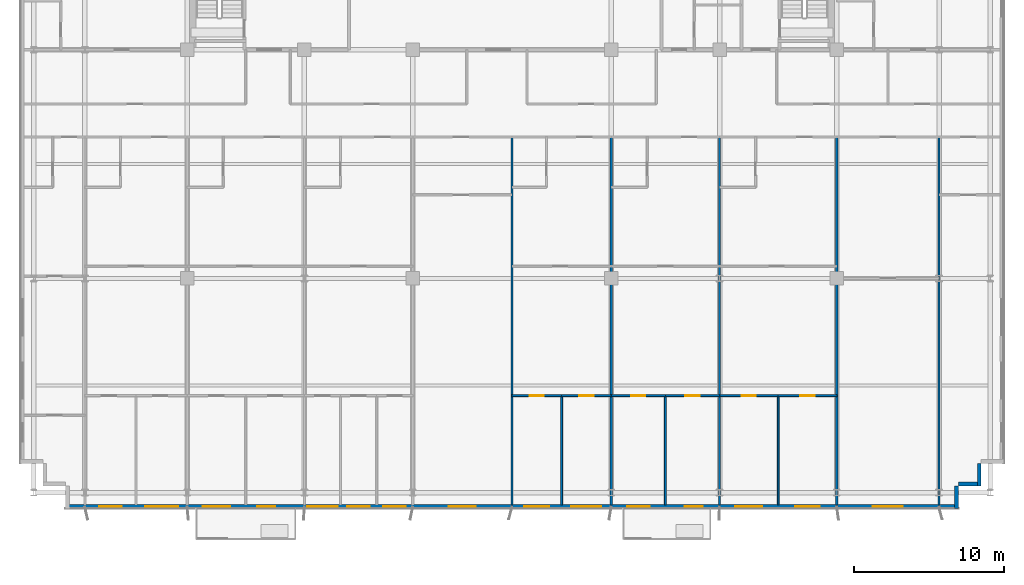
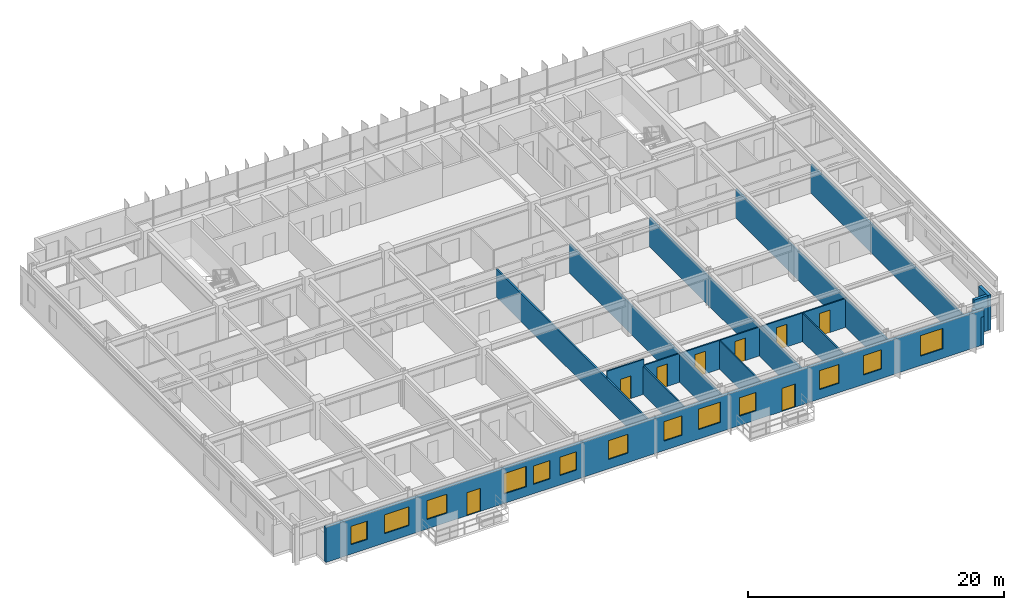
# One storey, part 17 of 24: 18 walls, 13 windows, 8 doors, 21 openings.
"""IFC4 building model written with IfcOpenShell, lengths in metres."""

from ifc_helpers import new_model, si_unit, direction, frame, frame_2d, origin, place, context, subcontext, project, spatial, rectangle, extrude, source, transform, mapped, material, layer, layer_set, type_object, element, fill, save


model = new_model("IFC4")

# Units and contexts
model_context = context("Model", 3, precision=1e-05, world=origin(), true_north=direction((0.0, 1.0)))
body_context = subcontext(model_context, "Body", "Model", "MODEL_VIEW")
ifc_project = project(units=[si_unit("LENGTHUNIT", "METRE"), si_unit("AREAUNIT", "SQUARE_METRE"), si_unit("VOLUMEUNIT", "CUBIC_METRE"), si_unit("PLANEANGLEUNIT", "RADIAN"), si_unit("MASSUNIT", "GRAM", prefix="KILO")], contexts=[model_context])

# Site, building, storey
site_placement = place(None, origin())
site = spatial("IfcSite", under=ifc_project, at=site_placement, CompositionType="ELEMENT")
building_placement = place(site_placement, origin())
building = spatial("IfcBuilding", under=site, at=building_placement, Name="Trelvane Seafront Commons", CompositionType="ELEMENT")
storey_placement = place(building_placement, frame((0.0, 0.0, 30.699951171875)))
storey = spatial("IfcBuildingStorey", under=building, at=storey_placement, Name="L07", CompositionType="ELEMENT", Elevation=30.699951171875)

# Walls
ifc_material_1 = material(Name="Precast concrete C40/50", Category="concrete")
ifc_layer_1 = layer(ifc_material_1, 0.260009765625, Name="ARCH-WALL-EXT260")
ifc_layer_set_1 = layer_set([ifc_layer_1], Name="Precast concrete C40/50")
wall_type_1 = type_object("IfcWallType", Name="ARCH-WALL-EXT260", PredefinedType="SOLIDWALL", material=ifc_layer_set_1)
for number, where, z_axis, x_axis, name in (
    (1, (68.27001953125, 5.89990234375, 0.0), (0.0, 0.0, 1.0), (0.0, -1.0, 0.0), "EW-L07-00103"),
    (2, (68.39990234375, 4.530029296875, 0.0), (0.0, 0.0, 1.0), (-1.0, 0.0, 0.0), "EW-L07-00104"),
):
    element("IfcWall", number, at=place(storey_placement, frame(where, z_axis=z_axis, x_axis=x_axis)), inside=storey, type_object=wall_type_1, Name=name, PredefinedType="SOLIDWALL", context=body_context, shape_type="SweptSolid", body=[
        extrude(rectangle(XDim=1.5, YDim=0.260009765625, at=frame_2d((0.75, 0.0))), origin(), (0.0, 0.0, 1.0), 3.340087890625),
    ])
wall_1_placement = place(storey_placement, frame((66.77001953125, 4.39990234375, 0.0), z_axis=(0.0, 0.0, 1.0), x_axis=(0.0, -1.0, 0.0)))
element("IfcWall", 3, at=wall_1_placement, inside=storey, type_object=wall_type_1, Name="EW-L07-00105", PredefinedType="SOLIDWALL", context=body_context, shape_type="SweptSolid", body=[
    extrude(rectangle(XDim=1.5, YDim=0.260009765625, at=frame_2d((0.75, 0.0))), origin(), (0.0, 0.0, 1.0), 2.68994140625),
])

# Wall, openings, doors, windows
wall_2_placement = place(storey_placement, frame((66.89990234375, 3.030029296875, 0.0), z_axis=(0.0, 0.0, 1.0), x_axis=(-1.0, 0.0, 0.0)))
wall_2 = element("IfcWall", 4, at=wall_2_placement, inside=storey, type_object=wall_type_1, Name="EW-L07-00106", PredefinedType="SOLIDWALL", context=body_context, shape_type="SweptSolid", body=[
    extrude(rectangle(XDim=59.39990234375, YDim=0.260009765625, at=frame_2d((29.699951171875, 0.0))), origin(), (0.0, 0.0, 1.0), 3.340087890625),
])
opening_1_placement = place(wall_2_placement, frame((3.699951171875, 0.0, 0.89990234375)))
opening_1 = element("IfcOpeningElement", 5, at=opening_1_placement, cuts=wall_2, Name="Opening W06", PredefinedType="OPENING", context=body_context, shape_type="SweptSolid", body=[
    extrude(rectangle(XDim=2.0, YDim=1.949951171875, at=frame_2d((1.0, 0.97509765625))), frame((0.0, 0.139892578125, 0.0), z_axis=(0.0, -1.0, 0.0), x_axis=(1.0, 0.0, 0.0)), (0.0, 0.0, 1.0), 0.280029296875),
])
opening_2_placement = place(wall_2_placement, frame((9.22509765625, 0.0, 0.89990234375)))
opening_2 = element("IfcOpeningElement", 6, at=opening_2_placement, cuts=wall_2, Name="Opening W07", PredefinedType="OPENING", context=body_context, shape_type="SweptSolid", body=[
    extrude(rectangle(XDim=1.64990234375, YDim=1.85009765625, at=frame_2d((0.824951171875, 0.925048828125))), frame((0.0, 0.139892578125, 0.0), z_axis=(0.0, -1.0, 0.0), x_axis=(1.0, 0.0, 0.0)), (0.0, 0.0, 1.0), 0.280029296875),
])
opening_3_placement = place(wall_2_placement, frame((13.050048828125, 0.0, 0.89990234375)))
opening_3 = element("IfcOpeningElement", 7, at=opening_3_placement, cuts=wall_2, Name="Opening W01", PredefinedType="OPENING", context=body_context, shape_type="SweptSolid", body=[
    extrude(rectangle(XDim=1.800048828125, YDim=1.800048828125, at=frame_2d((0.89990234375, 0.89990234375))), frame((0.0, 0.139892578125, 0.0), z_axis=(0.0, -1.0, 0.0), x_axis=(1.0, 0.0, 0.0)), (0.0, 0.0, 1.0), 0.280029296875),
])
opening_4_placement = place(wall_2_placement, frame((17.007080078125, 0.0, 0.0)))
opening_4 = element("IfcOpeningElement", 8, at=opening_4_placement, cuts=wall_2, Name="Opening BD-L07-19", PredefinedType="OPENING", context=body_context, shape_type="SweptSolid", body=[
    extrude(rectangle(XDim=1.199951171875, YDim=2.199951171875, at=frame_2d((0.60009765625, 1.10009765625))), frame((0.0, 0.139892578125, 0.0), z_axis=(0.0, -1.0, 0.0), x_axis=(1.0, 0.0, 0.0)), (0.0, 0.0, 1.0), 0.280029296875),
])
opening_5_placement = place(wall_2_placement, frame((20.550048828125, 0.0, 0.89990234375)))
opening_5 = element("IfcOpeningElement", 9, at=opening_5_placement, cuts=wall_2, Name="Opening W03", PredefinedType="OPENING", context=body_context, shape_type="SweptSolid", body=[
    extrude(rectangle(XDim=1.5, YDim=1.75, at=frame_2d((0.75, 0.875))), frame((0.0, 0.139892578125, 0.0), z_axis=(0.0, -1.0, 0.0), x_axis=(1.0, 0.0, 0.0)), (0.0, 0.0, 1.0), 0.280029296875),
])
opening_6_placement = place(wall_2_placement, frame((23.75, 0.0, 0.89990234375)))
opening_6 = element("IfcOpeningElement", 10, at=opening_6_placement, cuts=wall_2, Name="Opening W06", PredefinedType="OPENING", context=body_context, shape_type="SweptSolid", body=[
    extrude(rectangle(XDim=2.0, YDim=1.949951171875, at=frame_2d((1.0, 0.97509765625))), frame((0.0, 0.139892578125, 0.0), z_axis=(0.0, -1.0, 0.0), x_axis=(1.0, 0.0, 0.0)), (0.0, 0.0, 1.0), 0.280029296875),
])
opening_7_placement = place(wall_2_placement, frame((27.22509765625, 0.0, 0.89990234375)))
opening_7 = element("IfcOpeningElement", 11, at=opening_7_placement, cuts=wall_2, Name="Opening W07", PredefinedType="OPENING", context=body_context, shape_type="SweptSolid", body=[
    extrude(rectangle(XDim=1.64990234375, YDim=1.85009765625, at=frame_2d((0.824951171875, 0.925048828125))), frame((0.0, 0.139892578125, 0.0), z_axis=(0.0, -1.0, 0.0), x_axis=(1.0, 0.0, 0.0)), (0.0, 0.0, 1.0), 0.280029296875),
])
opening_8_placement = place(wall_2_placement, frame((32.10009765625, 0.0, 0.89990234375)))
opening_8 = element("IfcOpeningElement", 12, at=opening_8_placement, cuts=wall_2, Name="Opening W01", PredefinedType="OPENING", context=body_context, shape_type="SweptSolid", body=[
    extrude(rectangle(XDim=1.800048828125, YDim=1.800048828125, at=frame_2d((0.89990234375, 0.89990234375))), frame((0.0, 0.139892578125, 0.0), z_axis=(0.0, -1.0, 0.0), x_axis=(1.0, 0.0, 0.0)), (0.0, 0.0, 1.0), 0.280029296875),
])
opening_9_placement = place(wall_2_placement, frame((36.75, 0.0, 0.89990234375)))
opening_9 = element("IfcOpeningElement", 13, at=opening_9_placement, cuts=wall_2, Name="Opening W03", PredefinedType="OPENING", context=body_context, shape_type="SweptSolid", body=[
    extrude(rectangle(XDim=1.5, YDim=1.75, at=frame_2d((0.75, 0.875))), frame((0.0, 0.139892578125, 0.0), z_axis=(0.0, -1.0, 0.0), x_axis=(1.0, 0.0, 0.0)), (0.0, 0.0, 1.0), 0.280029296875),
])
opening_10_placement = place(wall_2_placement, frame((39.14990234375, 0.0, 0.89990234375)))
opening_10 = element("IfcOpeningElement", 14, at=opening_10_placement, cuts=wall_2, Name="Opening W03", PredefinedType="OPENING", context=body_context, shape_type="SweptSolid", body=[
    extrude(rectangle(XDim=1.5, YDim=1.75, at=frame_2d((0.75, 0.875))), frame((0.0, 0.139892578125, 0.0), z_axis=(0.0, -1.0, 0.0), x_axis=(1.0, 0.0, 0.0)), (0.0, 0.0, 1.0), 0.280029296875),
])
opening_11_placement = place(wall_2_placement, frame((41.300048828125, 0.0, 0.89990234375)))
opening_11 = element("IfcOpeningElement", 15, at=opening_11_placement, cuts=wall_2, Name="Opening W06", PredefinedType="OPENING", context=body_context, shape_type="SweptSolid", body=[
    extrude(rectangle(XDim=2.0, YDim=1.949951171875, at=frame_2d((1.0, 0.97509765625))), frame((0.0, 0.139892578125, 0.0), z_axis=(0.0, -1.0, 0.0), x_axis=(1.0, 0.0, 0.0)), (0.0, 0.0, 1.0), 0.280029296875),
])
opening_12_placement = place(wall_2_placement, frame((45.43505859375, 0.0, 0.0)))
opening_12 = element("IfcOpeningElement", 16, at=opening_12_placement, cuts=wall_2, Name="Opening BD-L07-20", PredefinedType="OPENING", context=body_context, shape_type="SweptSolid", body=[
    extrude(rectangle(XDim=1.199951171875, YDim=2.199951171875, at=frame_2d((0.60009765625, 1.10009765625))), frame((0.0, 0.139892578125, 0.0), z_axis=(0.0, -1.0, 0.0), x_axis=(1.0, 0.0, 0.0)), (0.0, 0.0, 1.0), 0.280029296875),
])
opening_13_placement = place(wall_2_placement, frame((48.449951171875, 0.0, 0.89990234375)))
opening_13 = element("IfcOpeningElement", 17, at=opening_13_placement, cuts=wall_2, Name="Opening W01", PredefinedType="OPENING", context=body_context, shape_type="SweptSolid", body=[
    extrude(rectangle(XDim=1.800048828125, YDim=1.800048828125, at=frame_2d((0.89990234375, 0.89990234375))), frame((0.0, 0.139892578125, 0.0), z_axis=(0.0, -1.0, 0.0), x_axis=(1.0, 0.0, 0.0)), (0.0, 0.0, 1.0), 0.280029296875),
])
opening_14_placement = place(wall_2_placement, frame((51.89990234375, 0.0, 0.89990234375)))
opening_14 = element("IfcOpeningElement", 18, at=opening_14_placement, cuts=wall_2, Name="Opening W02", PredefinedType="OPENING", context=body_context, shape_type="SweptSolid", body=[
    extrude(rectangle(XDim=2.199951171875, YDim=1.800048828125, at=frame_2d((1.10009765625, 0.89990234375))), frame((0.0, 0.139892578125, 0.0), z_axis=(0.0, -1.0, 0.0), x_axis=(1.0, 0.0, 0.0)), (0.0, 0.0, 1.0), 0.280029296875),
])
opening_15_placement = place(wall_2_placement, frame((55.64990234375, 0.0, 0.89990234375)))
opening_15 = element("IfcOpeningElement", 19, at=opening_15_placement, cuts=wall_2, Name="Opening W03", PredefinedType="OPENING", context=body_context, shape_type="SweptSolid", body=[
    extrude(rectangle(XDim=1.5, YDim=1.75, at=frame_2d((0.75, 0.875))), frame((0.0, 0.139892578125, 0.0), z_axis=(0.0, -1.0, 0.0), x_axis=(1.0, 0.0, 0.0)), (0.0, 0.0, 1.0), 0.280029296875),
])
ifc_material_2 = material(Name="Powder-coated aluminium frame", Category="aluminium")
door_type_1 = type_object("IfcDoorType", Name="ARCH-DR-BAL1200", OperationType="NOTDEFINED", PredefinedType="DOOR", material=ifc_material_2)
shared_shape_1 = source(origin(), body_context, "Body", "SweptSolid", [
    extrude(rectangle(XDim=1.199951171875, YDim=2.199951171875, at=frame_2d((0.60009765625, 1.10009765625))), frame((0.0, 0.02490234375, 0.0), z_axis=(0.0, -1.0, 0.0), x_axis=(1.0, 0.0, 0.0)), (0.0, 0.0, 1.0), 0.050048828125),
])
door_1_placement = place(opening_4_placement, origin())
door_1 = element("IfcDoor", 20, at=door_1_placement, inside=storey, type_object=door_type_1, Name="L07 Balcony Terrace Access Door", OperationType="SINGLE_SWING_LEFT", OverallHeight=2.199951171875, OverallWidth=1.199951171875, PredefinedType="DOOR", context=body_context, shape_type="MappedRepresentation", body=[
    mapped(shared_shape_1, transform((0.0, 0.0, 0.0), x_axis=(1.0, 0.0, 0.0), y_axis=(0.0, 1.0, 0.0), z_axis=(0.0, 0.0, 1.0), scale=1.0)),
])
fill(opening_4, door_1)
door_2_placement = place(opening_12_placement, origin())
door_2 = element("IfcDoor", 21, at=door_2_placement, inside=storey, type_object=door_type_1, Name="L07 Balcony Terrace Access Door", OperationType="SINGLE_SWING_LEFT", OverallHeight=2.199951171875, OverallWidth=1.199951171875, PredefinedType="DOOR", context=body_context, shape_type="MappedRepresentation", body=[
    mapped(shared_shape_1, transform((0.0, 0.0, 0.0), x_axis=(1.0, 0.0, 0.0), y_axis=(0.0, 1.0, 0.0), z_axis=(0.0, 0.0, 1.0), scale=1.0)),
])
fill(opening_12, door_2)
ifc_material_3 = material(Name="Low-E coastal double glazing", Category="glass")
window_type_1 = type_object("IfcWindowType", Name="ARCH-WIN-W02", PartitioningType="SINGLE_PANEL", PredefinedType="WINDOW", material=ifc_material_3)
shared_shape_2 = source(origin(), body_context, "Body", "SweptSolid", [
    extrude(rectangle(XDim=2.199951171875, YDim=1.800048828125, at=frame_2d((1.10009765625, 0.89990234375))), frame((0.0, 0.030029296875, 0.0), z_axis=(0.0, -1.0, 0.0), x_axis=(1.0, 0.0, 0.0)), (0.0, 0.0, 1.0), 0.06005859375),
])
window_1_placement = place(opening_14_placement, origin())
window_1 = element("IfcWindow", 22, at=window_1_placement, inside=storey, type_object=window_type_1, Name="WIN-L07-00154", OverallHeight=1.800048828125, OverallWidth=2.199951171875, PartitioningType="SINGLE_PANEL", PredefinedType="WINDOW", context=body_context, shape_type="MappedRepresentation", body=[
    mapped(shared_shape_2, transform((0.0, 0.0, 0.0), x_axis=(1.0, 0.0, 0.0), y_axis=(0.0, 1.0, 0.0), z_axis=(0.0, 0.0, 1.0), scale=1.0)),
])
fill(opening_14, window_1)
window_type_2 = type_object("IfcWindowType", Name="ARCH-WIN-W03", PartitioningType="SINGLE_PANEL", PredefinedType="WINDOW", material=ifc_material_3)
shared_shape_3 = source(origin(), body_context, "Body", "SweptSolid", [
    extrude(rectangle(XDim=1.5, YDim=1.75, at=frame_2d((0.75, 0.875))), frame((0.0, 0.030029296875, 0.0), z_axis=(0.0, -1.0, 0.0), x_axis=(1.0, 0.0, 0.0)), (0.0, 0.0, 1.0), 0.06005859375),
])
window_2_placement = place(opening_5_placement, origin())
window_2 = element("IfcWindow", 23, at=window_2_placement, inside=storey, type_object=window_type_2, Name="WIN-L07-00146", OverallHeight=1.75, OverallWidth=1.5, PartitioningType="SINGLE_PANEL", PredefinedType="WINDOW", context=body_context, shape_type="MappedRepresentation", body=[
    mapped(shared_shape_3, transform((0.0, 0.0, 0.0), x_axis=(1.0, 0.0, 0.0), y_axis=(0.0, 1.0, 0.0), z_axis=(0.0, 0.0, 1.0), scale=1.0)),
])
fill(opening_5, window_2)
window_3_placement = place(opening_9_placement, origin())
window_3 = element("IfcWindow", 24, at=window_3_placement, inside=storey, type_object=window_type_2, Name="WIN-L07-00150", OverallHeight=1.75, OverallWidth=1.5, PartitioningType="SINGLE_PANEL", PredefinedType="WINDOW", context=body_context, shape_type="MappedRepresentation", body=[
    mapped(shared_shape_3, transform((0.0, 0.0, 0.0), x_axis=(1.0, 0.0, 0.0), y_axis=(0.0, 1.0, 0.0), z_axis=(0.0, 0.0, 1.0), scale=1.0)),
])
fill(opening_9, window_3)
window_4_placement = place(opening_10_placement, origin())
window_4 = element("IfcWindow", 25, at=window_4_placement, inside=storey, type_object=window_type_2, Name="WIN-L07-00151", OverallHeight=1.75, OverallWidth=1.5, PartitioningType="SINGLE_PANEL", PredefinedType="WINDOW", context=body_context, shape_type="MappedRepresentation", body=[
    mapped(shared_shape_3, transform((0.0, 0.0, 0.0), x_axis=(1.0, 0.0, 0.0), y_axis=(0.0, 1.0, 0.0), z_axis=(0.0, 0.0, 1.0), scale=1.0)),
])
fill(opening_10, window_4)
window_5_placement = place(opening_15_placement, origin())
window_5 = element("IfcWindow", 26, at=window_5_placement, inside=storey, type_object=window_type_2, Name="WIN-L07-00155", OverallHeight=1.75, OverallWidth=1.5, PartitioningType="SINGLE_PANEL", PredefinedType="WINDOW", context=body_context, shape_type="MappedRepresentation", body=[
    mapped(shared_shape_3, transform((0.0, 0.0, 0.0), x_axis=(1.0, 0.0, 0.0), y_axis=(0.0, 1.0, 0.0), z_axis=(0.0, 0.0, 1.0), scale=1.0)),
])
fill(opening_15, window_5)
window_type_3 = type_object("IfcWindowType", Name="ARCH-WIN-W06", PartitioningType="SINGLE_PANEL", PredefinedType="WINDOW", material=ifc_material_3)
shared_shape_4 = source(origin(), body_context, "Body", "SweptSolid", [
    extrude(rectangle(XDim=2.0, YDim=1.949951171875, at=frame_2d((1.0, 0.97509765625))), frame((0.0, 0.030029296875, 0.0), z_axis=(0.0, -1.0, 0.0), x_axis=(1.0, 0.0, 0.0)), (0.0, 0.0, 1.0), 0.06005859375),
])
window_6_placement = place(opening_1_placement, origin())
window_6 = element("IfcWindow", 27, at=window_6_placement, inside=storey, type_object=window_type_3, Name="WIN-L07-00143", OverallHeight=1.949951171875, OverallWidth=2.0, PartitioningType="SINGLE_PANEL", PredefinedType="WINDOW", context=body_context, shape_type="MappedRepresentation", body=[
    mapped(shared_shape_4, transform((0.0, 0.0, 0.0), x_axis=(1.0, 0.0, 0.0), y_axis=(0.0, 1.0, 0.0), z_axis=(0.0, 0.0, 1.0), scale=1.0)),
])
fill(opening_1, window_6)
window_7_placement = place(opening_6_placement, origin())
window_7 = element("IfcWindow", 28, at=window_7_placement, inside=storey, type_object=window_type_3, Name="WIN-L07-00147", OverallHeight=1.949951171875, OverallWidth=2.0, PartitioningType="SINGLE_PANEL", PredefinedType="WINDOW", context=body_context, shape_type="MappedRepresentation", body=[
    mapped(shared_shape_4, transform((0.0, 0.0, 0.0), x_axis=(1.0, 0.0, 0.0), y_axis=(0.0, 1.0, 0.0), z_axis=(0.0, 0.0, 1.0), scale=1.0)),
])
fill(opening_6, window_7)
window_8_placement = place(opening_11_placement, origin())
window_8 = element("IfcWindow", 29, at=window_8_placement, inside=storey, type_object=window_type_3, Name="WIN-L07-00152", OverallHeight=1.949951171875, OverallWidth=2.0, PartitioningType="SINGLE_PANEL", PredefinedType="WINDOW", context=body_context, shape_type="MappedRepresentation", body=[
    mapped(shared_shape_4, transform((0.0, 0.0, 0.0), x_axis=(1.0, 0.0, 0.0), y_axis=(0.0, 1.0, 0.0), z_axis=(0.0, 0.0, 1.0), scale=1.0)),
])
fill(opening_11, window_8)
window_type_4 = type_object("IfcWindowType", Name="ARCH-WIN-W01", PartitioningType="SINGLE_PANEL", PredefinedType="WINDOW", material=ifc_material_3)
shared_shape_5 = source(origin(), body_context, "Body", "SweptSolid", [
    extrude(rectangle(XDim=1.800048828125, YDim=1.800048828125, at=frame_2d((0.89990234375, 0.89990234375))), frame((0.0, 0.030029296875, 0.0), z_axis=(0.0, -1.0, 0.0), x_axis=(1.0, 0.0, 0.0)), (0.0, 0.0, 1.0), 0.06005859375),
])
window_9_placement = place(opening_3_placement, origin())
window_9 = element("IfcWindow", 30, at=window_9_placement, inside=storey, type_object=window_type_4, Name="WIN-L07-00145", OverallHeight=1.800048828125, OverallWidth=1.800048828125, PartitioningType="SINGLE_PANEL", PredefinedType="WINDOW", context=body_context, shape_type="MappedRepresentation", body=[
    mapped(shared_shape_5, transform((0.0, 0.0, 0.0), x_axis=(1.0, 0.0, 0.0), y_axis=(0.0, 1.0, 0.0), z_axis=(0.0, 0.0, 1.0), scale=1.0)),
])
fill(opening_3, window_9)
window_10_placement = place(opening_8_placement, origin())
window_10 = element("IfcWindow", 31, at=window_10_placement, inside=storey, type_object=window_type_4, Name="WIN-L07-00149", OverallHeight=1.800048828125, OverallWidth=1.800048828125, PartitioningType="SINGLE_PANEL", PredefinedType="WINDOW", context=body_context, shape_type="MappedRepresentation", body=[
    mapped(shared_shape_5, transform((0.0, 0.0, 0.0), x_axis=(1.0, 0.0, 0.0), y_axis=(0.0, 1.0, 0.0), z_axis=(0.0, 0.0, 1.0), scale=1.0)),
])
fill(opening_8, window_10)
window_11_placement = place(opening_13_placement, origin())
window_11 = element("IfcWindow", 32, at=window_11_placement, inside=storey, type_object=window_type_4, Name="WIN-L07-00153", OverallHeight=1.800048828125, OverallWidth=1.800048828125, PartitioningType="SINGLE_PANEL", PredefinedType="WINDOW", context=body_context, shape_type="MappedRepresentation", body=[
    mapped(shared_shape_5, transform((0.0, 0.0, 0.0), x_axis=(1.0, 0.0, 0.0), y_axis=(0.0, 1.0, 0.0), z_axis=(0.0, 0.0, 1.0), scale=1.0)),
])
fill(opening_13, window_11)
window_type_5 = type_object("IfcWindowType", Name="ARCH-WIN-W07", PartitioningType="SINGLE_PANEL", PredefinedType="WINDOW", material=ifc_material_3)
shared_shape_6 = source(origin(), body_context, "Body", "SweptSolid", [
    extrude(rectangle(XDim=1.64990234375, YDim=1.85009765625, at=frame_2d((0.824951171875, 0.925048828125))), frame((0.0, 0.030029296875, 0.0), z_axis=(0.0, -1.0, 0.0), x_axis=(1.0, 0.0, 0.0)), (0.0, 0.0, 1.0), 0.06005859375),
])
window_12_placement = place(opening_2_placement, origin())
window_12 = element("IfcWindow", 33, at=window_12_placement, inside=storey, type_object=window_type_5, Name="WIN-L07-00144", OverallHeight=1.85009765625, OverallWidth=1.64990234375, PartitioningType="SINGLE_PANEL", PredefinedType="WINDOW", context=body_context, shape_type="MappedRepresentation", body=[
    mapped(shared_shape_6, transform((0.0, 0.0, 0.0), x_axis=(1.0, 0.0, 0.0), y_axis=(0.0, 1.0, 0.0), z_axis=(0.0, 0.0, 1.0), scale=1.0)),
])
fill(opening_2, window_12)
window_13_placement = place(opening_7_placement, origin())
window_13 = element("IfcWindow", 34, at=window_13_placement, inside=storey, type_object=window_type_5, Name="WIN-L07-00148", OverallHeight=1.85009765625, OverallWidth=1.64990234375, PartitioningType="SINGLE_PANEL", PredefinedType="WINDOW", context=body_context, shape_type="MappedRepresentation", body=[
    mapped(shared_shape_6, transform((0.0, 0.0, 0.0), x_axis=(1.0, 0.0, 0.0), y_axis=(0.0, 1.0, 0.0), z_axis=(0.0, 0.0, 1.0), scale=1.0)),
])
fill(opening_7, window_13)

# Wall, opening, door
ifc_material_4 = material(Name="Gypsum Drywall Acoustic Partition")
ifc_layer_2 = layer(ifc_material_4, 0.1201171875, Name="ARCH-WALL-PART120")
ifc_layer_set_2 = layer_set([ifc_layer_2], Name="Gypsum Drywall Acoustic Partition")
wall_type_2 = type_object("IfcWallType", Name="ARCH-WALL-PART120", PredefinedType="PARTITIONING", material=ifc_layer_set_2)
wall_3_placement = place(storey_placement, frame((37.199951171875, 10.39990234375, 0.0), z_axis=(0.0, 0.0, 1.0), x_axis=(1.0, 0.0, 0.0)))
wall_3 = element("IfcWall", 35, at=wall_3_placement, inside=storey, type_object=wall_type_2, Name="W-L07-U6-YM-1-108", PredefinedType="PARTITIONING", context=body_context, shape_type="SweptSolid", body=[
    extrude(rectangle(XDim=3.300048828125, YDim=0.1201171875, at=frame_2d((1.64990234375, 0.0))), origin(), (0.0, 0.0, 1.0), 3.340087890625),
])
opening_16_placement = place(wall_3_placement, frame((1.175048828125, 0.0, 0.0)))
opening_16 = element("IfcOpeningElement", 36, at=opening_16_placement, cuts=wall_3, Name="Opening D-L07-60", PredefinedType="OPENING", context=body_context, shape_type="SweptSolid", body=[
    extrude(rectangle(XDim=0.949951171875, YDim=2.14990234375, at=frame_2d((0.47509765625, 1.074951171875))), frame((0.0, 0.070068359375, 0.0), z_axis=(0.0, -1.0, 0.0), x_axis=(1.0, 0.0, 0.0)), (0.0, 0.0, 1.0), 0.14013671875),
])
ifc_material_5 = material(Name="Acoustic timber door leaf", Category="wood")
door_type_2 = type_object("IfcDoorType", Name="ARCH-DR-INT950", OperationType="NOTDEFINED", PredefinedType="DOOR", material=ifc_material_5)
shared_shape_7 = source(origin(), body_context, "Body", "SweptSolid", [
    extrude(rectangle(XDim=0.949951171875, YDim=2.14990234375, at=frame_2d((0.47509765625, 1.074951171875))), frame((0.0, 0.02490234375, 0.0), z_axis=(0.0, -1.0, 0.0), x_axis=(1.0, 0.0, 0.0)), (0.0, 0.0, 1.0), 0.050048828125),
])
door_3_placement = place(opening_16_placement, origin())
door_3 = element("IfcDoor", 37, at=door_3_placement, inside=storey, type_object=door_type_2, Name="L07 Door 60", OperationType="SINGLE_SWING_RIGHT", OverallHeight=2.14990234375, OverallWidth=0.949951171875, PredefinedType="DOOR", context=body_context, shape_type="MappedRepresentation", body=[
    mapped(shared_shape_7, transform((0.0, 0.0, 0.0), x_axis=(1.0, 0.0, 0.0), y_axis=(0.0, 1.0, 0.0), z_axis=(0.0, 0.0, 1.0), scale=1.0)),
])
fill(opening_16, door_3)

wall_4_placement = place(storey_placement, frame((40.5, 10.39990234375, 0.0), z_axis=(0.0, 0.0, 1.0), x_axis=(1.0, 0.0, 0.0)))
wall_4 = element("IfcWall", 38, at=wall_4_placement, inside=storey, type_object=wall_type_2, Name="W-L07-U6-YM-2-109", PredefinedType="PARTITIONING", context=body_context, shape_type="SweptSolid", body=[
    extrude(rectangle(XDim=3.300048828125, YDim=0.1201171875, at=frame_2d((1.64990234375, 0.0))), origin(), (0.0, 0.0, 1.0), 2.751953125),
])
opening_17_placement = place(wall_4_placement, frame((1.175048828125, 0.0, 0.0)))
opening_17 = element("IfcOpeningElement", 39, at=opening_17_placement, cuts=wall_4, Name="Opening D-L07-61", PredefinedType="OPENING", context=body_context, shape_type="SweptSolid", body=[
    extrude(rectangle(XDim=0.949951171875, YDim=2.14990234375, at=frame_2d((0.47509765625, 1.074951171875))), frame((0.0, 0.070068359375, 0.0), z_axis=(0.0, -1.0, 0.0), x_axis=(1.0, 0.0, 0.0)), (0.0, 0.0, 1.0), 0.14013671875),
])
door_4_placement = place(opening_17_placement, origin())
door_4 = element("IfcDoor", 40, at=door_4_placement, inside=storey, type_object=door_type_2, Name="L07 Door 61", OperationType="SINGLE_SWING_LEFT", OverallHeight=2.14990234375, OverallWidth=0.949951171875, PredefinedType="DOOR", context=body_context, shape_type="MappedRepresentation", body=[
    mapped(shared_shape_7, transform((0.0, 0.0, 0.0), x_axis=(1.0, 0.0, 0.0), y_axis=(0.0, 1.0, 0.0), z_axis=(0.0, 0.0, 1.0), scale=1.0)),
])
fill(opening_17, door_4)

# Wall
wall_5_placement = place(storey_placement, frame((40.5, 3.14501953125, 0.0), z_axis=(0.0, 0.0, 1.0), x_axis=(0.0, 1.0, 0.0)))
element("IfcWall", 41, at=wall_5_placement, inside=storey, type_object=wall_type_2, Name="W-L07-U6-BDV-1-110", PredefinedType="PARTITIONING", context=body_context, shape_type="SweptSolid", body=[
    extrude(rectangle(XDim=7.2548828125, YDim=0.1201171875, at=frame_2d((3.62744140625, 0.0))), origin(), (0.0, 0.0, 1.0), 2.68994140625),
])

# Wall, opening, door
wall_6_placement = place(storey_placement, frame((43.800048828125, 10.39990234375, 0.0), z_axis=(0.0, 0.0, 1.0), x_axis=(1.0, 0.0, 0.0)))
wall_6 = element("IfcWall", 42, at=wall_6_placement, inside=storey, type_object=wall_type_2, Name="W-L07-U7-YM-1-115", PredefinedType="PARTITIONING", context=body_context, shape_type="SweptSolid", body=[
    extrude(rectangle(XDim=3.599853515625, YDim=0.1201171875, at=frame_2d((1.7998046875, 0.0))), origin(), (0.0, 0.0, 1.0), 2.751953125),
])
opening_18_placement = place(wall_6_placement, frame((1.324951171875, 0.0, 0.0)))
opening_18 = element("IfcOpeningElement", 43, at=opening_18_placement, cuts=wall_6, Name="Opening D-L07-65", PredefinedType="OPENING", context=body_context, shape_type="SweptSolid", body=[
    extrude(rectangle(XDim=0.949951171875, YDim=2.14990234375, at=frame_2d((0.47509765625, 1.074951171875))), frame((0.0, 0.070068359375, 0.0), z_axis=(0.0, -1.0, 0.0), x_axis=(1.0, 0.0, 0.0)), (0.0, 0.0, 1.0), 0.14013671875),
])
door_5_placement = place(opening_18_placement, origin())
door_5 = element("IfcDoor", 44, at=door_5_placement, inside=storey, type_object=door_type_2, Name="L07 Door 65", OperationType="SINGLE_SWING_LEFT", OverallHeight=2.14990234375, OverallWidth=0.949951171875, PredefinedType="DOOR", context=body_context, shape_type="MappedRepresentation", body=[
    mapped(shared_shape_7, transform((0.0, 0.0, 0.0), x_axis=(1.0, 0.0, 0.0), y_axis=(0.0, 1.0, 0.0), z_axis=(0.0, 0.0, 1.0), scale=1.0)),
])
fill(opening_18, door_5)

wall_7_placement = place(storey_placement, frame((47.39990234375, 10.39990234375, 0.0), z_axis=(0.0, 0.0, 1.0), x_axis=(1.0, 0.0, 0.0)))
wall_7 = element("IfcWall", 45, at=wall_7_placement, inside=storey, type_object=wall_type_2, Name="W-L07-U7-YM-2-116", PredefinedType="PARTITIONING", context=body_context, shape_type="SweptSolid", body=[
    extrude(rectangle(XDim=3.60009765625, YDim=0.1201171875, at=frame_2d((1.800048828125, 0.0))), origin(), (0.0, 0.0, 1.0), 2.751953125),
])
opening_19_placement = place(wall_7_placement, frame((1.324951171875, 0.0, 0.0)))
opening_19 = element("IfcOpeningElement", 46, at=opening_19_placement, cuts=wall_7, Name="Opening D-L07-66", PredefinedType="OPENING", context=body_context, shape_type="SweptSolid", body=[
    extrude(rectangle(XDim=0.949951171875, YDim=2.14990234375, at=frame_2d((0.47509765625, 1.074951171875))), frame((0.0, 0.070068359375, 0.0), z_axis=(0.0, -1.0, 0.0), x_axis=(1.0, 0.0, 0.0)), (0.0, 0.0, 1.0), 0.14013671875),
])
door_6_placement = place(opening_19_placement, origin())
door_6 = element("IfcDoor", 47, at=door_6_placement, inside=storey, type_object=door_type_2, Name="L07 Door 66", OperationType="SINGLE_SWING_RIGHT", OverallHeight=2.14990234375, OverallWidth=0.949951171875, PredefinedType="DOOR", context=body_context, shape_type="MappedRepresentation", body=[
    mapped(shared_shape_7, transform((0.0, 0.0, 0.0), x_axis=(1.0, 0.0, 0.0), y_axis=(0.0, 1.0, 0.0), z_axis=(0.0, 0.0, 1.0), scale=1.0)),
])
fill(opening_19, door_6)

# Wall
wall_8_placement = place(storey_placement, frame((47.39990234375, 3.14501953125, 0.0), z_axis=(0.0, 0.0, 1.0), x_axis=(0.0, 1.0, 0.0)))
element("IfcWall", 48, at=wall_8_placement, inside=storey, type_object=wall_type_2, Name="W-L07-U7-BDV-1-117", PredefinedType="PARTITIONING", context=body_context, shape_type="SweptSolid", body=[
    extrude(rectangle(XDim=7.2548828125, YDim=0.1201171875, at=frame_2d((3.62744140625, 0.0))), origin(), (0.0, 0.0, 1.0), 2.68994140625),
])

# Wall, opening, door
wall_9_placement = place(storey_placement, frame((51.0, 10.39990234375, 0.0), z_axis=(0.0, 0.0, 1.0), x_axis=(1.0, 0.0, 0.0)))
wall_9 = element("IfcWall", 49, at=wall_9_placement, inside=storey, type_object=wall_type_2, Name="W-L07-U8-YM-1-122", PredefinedType="PARTITIONING", context=body_context, shape_type="SweptSolid", body=[
    extrude(rectangle(XDim=3.89990234375, YDim=0.1201171875, at=frame_2d((1.949951171875, 0.0))), origin(), (0.0, 0.0, 1.0), 2.751953125),
])
opening_20_placement = place(wall_9_placement, frame((1.47509765625, 0.0, 0.0)))
opening_20 = element("IfcOpeningElement", 50, at=opening_20_placement, cuts=wall_9, Name="Opening D-L07-70", PredefinedType="OPENING", context=body_context, shape_type="SweptSolid", body=[
    extrude(rectangle(XDim=0.949951171875, YDim=2.14990234375, at=frame_2d((0.47509765625, 1.074951171875))), frame((0.0, 0.070068359375, 0.0), z_axis=(0.0, -1.0, 0.0), x_axis=(1.0, 0.0, 0.0)), (0.0, 0.0, 1.0), 0.14013671875),
])
door_7_placement = place(opening_20_placement, origin())
door_7 = element("IfcDoor", 51, at=door_7_placement, inside=storey, type_object=door_type_2, Name="L07 Door 70", OperationType="SINGLE_SWING_RIGHT", OverallHeight=2.14990234375, OverallWidth=0.949951171875, PredefinedType="DOOR", context=body_context, shape_type="MappedRepresentation", body=[
    mapped(shared_shape_7, transform((0.0, 0.0, 0.0), x_axis=(1.0, 0.0, 0.0), y_axis=(0.0, 1.0, 0.0), z_axis=(0.0, 0.0, 1.0), scale=1.0)),
])
fill(opening_20, door_7)

wall_10_placement = place(storey_placement, frame((54.89990234375, 10.39990234375, 0.0), z_axis=(0.0, 0.0, 1.0), x_axis=(1.0, 0.0, 0.0)))
wall_10 = element("IfcWall", 52, at=wall_10_placement, inside=storey, type_object=wall_type_2, Name="W-L07-U8-YM-2-123", PredefinedType="PARTITIONING", context=body_context, shape_type="SweptSolid", body=[
    extrude(rectangle(XDim=3.900146484375, YDim=0.1201171875, at=frame_2d((1.9501953125, 0.0))), origin(), (0.0, 0.0, 1.0), 2.751953125),
])
opening_21_placement = place(wall_10_placement, frame((1.47509765625, 0.0, 0.0)))
opening_21 = element("IfcOpeningElement", 53, at=opening_21_placement, cuts=wall_10, Name="Opening D-L07-71", PredefinedType="OPENING", context=body_context, shape_type="SweptSolid", body=[
    extrude(rectangle(XDim=0.949951171875, YDim=2.14990234375, at=frame_2d((0.47509765625, 1.074951171875))), frame((0.0, 0.070068359375, 0.0), z_axis=(0.0, -1.0, 0.0), x_axis=(1.0, 0.0, 0.0)), (0.0, 0.0, 1.0), 0.14013671875),
])
door_8_placement = place(opening_21_placement, origin())
door_8 = element("IfcDoor", 54, at=door_8_placement, inside=storey, type_object=door_type_2, Name="L07 Door 71", OperationType="SINGLE_SWING_LEFT", OverallHeight=2.14990234375, OverallWidth=0.949951171875, PredefinedType="DOOR", context=body_context, shape_type="MappedRepresentation", body=[
    mapped(shared_shape_7, transform((0.0, 0.0, 0.0), x_axis=(1.0, 0.0, 0.0), y_axis=(0.0, 1.0, 0.0), z_axis=(0.0, 0.0, 1.0), scale=1.0)),
])
fill(opening_21, door_8)

# Walls
wall_11_placement = place(storey_placement, frame((54.89990234375, 3.14501953125, 0.0), z_axis=(0.0, 0.0, 1.0), x_axis=(0.0, 1.0, 0.0)))
element("IfcWall", 55, at=wall_11_placement, inside=storey, type_object=wall_type_2, Name="W-L07-U8-BDV-1-124", PredefinedType="PARTITIONING", context=body_context, shape_type="SweptSolid", body=[
    extrude(rectangle(XDim=7.2548828125, YDim=0.1201171875, at=frame_2d((3.62744140625, 0.0))), origin(), (0.0, 0.0, 1.0), 2.68994140625),
])
ifc_layer_3 = layer(ifc_material_4, 0.14990234375, Name="ARCH-WALL-PART150")
ifc_layer_set_3 = layer_set([ifc_layer_3], Name="Gypsum Drywall Acoustic Partition")
wall_type_3 = type_object("IfcWallType", Name="ARCH-WALL-PART150", PredefinedType="PARTITIONING", material=ifc_layer_set_3)
wall_12_placement = place(storey_placement, frame((37.199951171875, 3.14501953125, 0.0), z_axis=(0.0, 0.0, 1.0), x_axis=(0.0, 1.0, 0.0)))
element("IfcWall", 56, at=wall_12_placement, inside=storey, type_object=wall_type_3, Name="W-L07-PW-5-069", PredefinedType="PARTITIONING", context=body_context, shape_type="SweptSolid", body=[
    extrude(rectangle(XDim=24.455078125, YDim=0.14990234375, at=frame_2d((12.2275390625, 0.0))), origin(), (0.0, 0.0, 1.0), 2.68994140625),
])
for number, where, z_axis, x_axis, name in (
    (57, (43.800048828125, 3.14501953125, 0.0), (0.0, 0.0, 1.0), (0.0, 1.0, 0.0), "W-L07-PW-6-070"),
    (58, (51.0, 3.14501953125, 0.0), (0.0, 0.0, 1.0), (0.0, 1.0, 0.0), "W-L07-PW-7-071"),
    (59, (58.800048828125, 3.14501953125, 0.0), (0.0, 0.0, 1.0), (0.0, 1.0, 0.0), "W-L07-PW-8-072"),
    (60, (65.60009765625, 3.14501953125, 0.0), (0.0, 0.0, 1.0), (0.0, 1.0, 0.0), "W-L07-PW-9-073"),
):
    element("IfcWall", number, at=place(storey_placement, frame(where, z_axis=z_axis, x_axis=x_axis)), inside=storey, type_object=wall_type_3, Name=name, PredefinedType="PARTITIONING", context=body_context, shape_type="SweptSolid", body=[
        extrude(rectangle(XDim=24.455078125, YDim=0.14990234375, at=frame_2d((12.2275390625, 0.0))), origin(), (0.0, 0.0, 1.0), 2.751953125),
    ])

save(model, "model.ifc")
